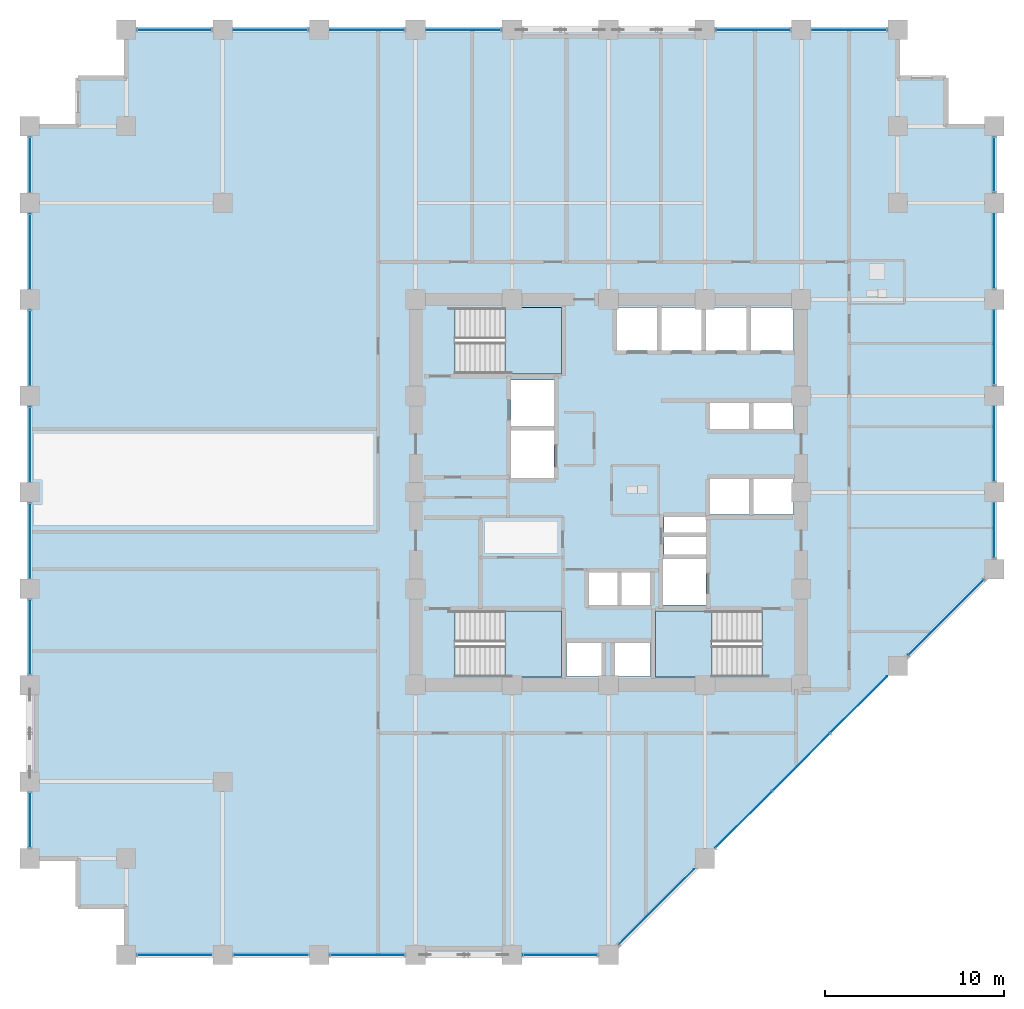
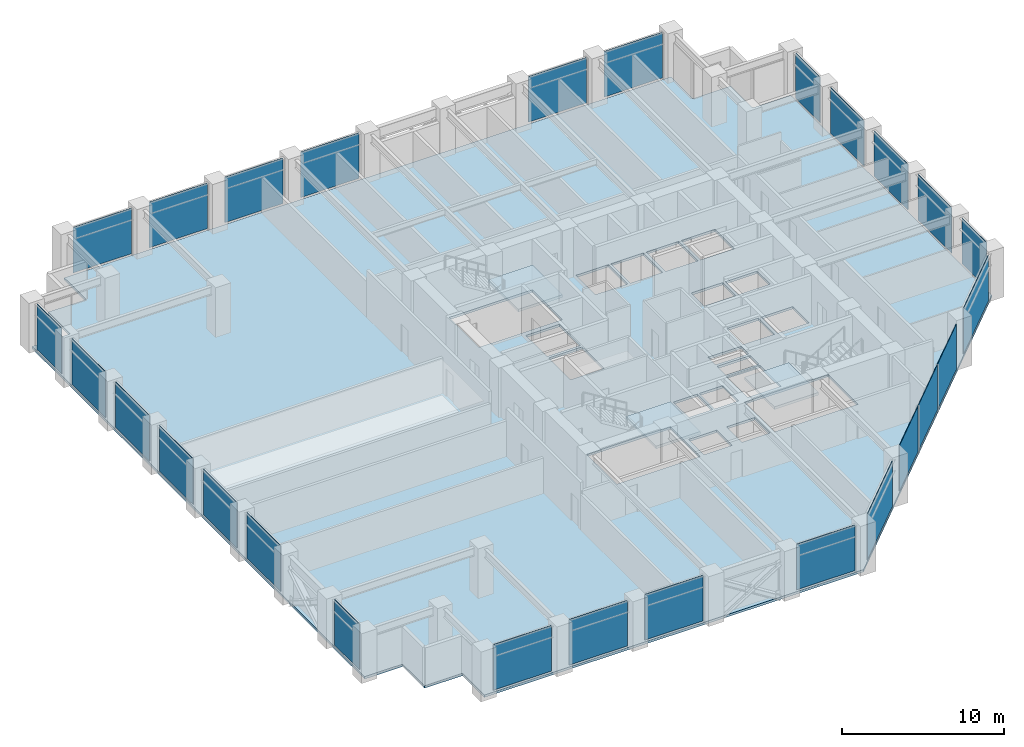
# One storey, part 17 of 25: 27 plates, 4 slabs, 11 elements without a shape of their own.
"""IFC4 building model written with IfcOpenShell, lengths in metres."""

from ifc_helpers import new_model, si_unit, direction, frame, frame_2d, origin, place, context, subcontext, project, spatial, polyline, rectangle, outline, extrude, material, layer, layer_set, type_object, element, aggregate, save


model = new_model("IFC4")

# Units and contexts
model_context = context("Model", 3, precision=1e-05, world=origin(), true_north=direction((0.0, 1.0)))
body_context = subcontext(model_context, "Body", "Model", "MODEL_VIEW")
ifc_project = project(units=[si_unit("LENGTHUNIT", "METRE"), si_unit("AREAUNIT", "SQUARE_METRE"), si_unit("VOLUMEUNIT", "CUBIC_METRE"), si_unit("PLANEANGLEUNIT", "RADIAN"), si_unit("MASSUNIT", "GRAM", prefix="KILO")], contexts=[model_context])

# Site, building, storey
site_placement = place(None, origin())
site = spatial("IfcSite", under=ifc_project, at=site_placement, CompositionType="ELEMENT")
building_placement = place(site_placement, origin())
building = spatial("IfcBuilding", under=site, at=building_placement, Name="Surkhivell Harbour Commons", CompositionType="ELEMENT")
storey_placement = place(building_placement, frame((0.0, 0.0, 117.0)))
storey = spatial("IfcBuildingStorey", under=building, at=storey_placement, Name="L30", CompositionType="ELEMENT", Elevation=117.0)

# Curtain wall, plates
ifc_material_1 = material(Name="Anodised pale-metal aluminium and insulated glazing", Category="aluminium")
ifc_layer_1 = layer(ifc_material_1, 0.205078125)
ifc_layer_set_1 = layer_set([ifc_layer_1], Name="Anodised pale-metal aluminium and insulated glazing")
curtain_wall_type = type_object("IfcCurtainWallType", Name="CW-SYS-Z2", PredefinedType="NOTDEFINED", material=ifc_layer_set_1)
curtain_wall_1_placement = place(storey_placement, origin())
curtain_wall_1 = element("IfcCurtainWall", 1, at=curtain_wall_1_placement, inside=storey, type_object=curtain_wall_type, Name="L30 Curtain Wall CW-L30-E00S1", PredefinedType="NOTDEFINED")
ifc_material_2 = material(Name="High-pressure typhoon laminated vision glass", Category="glass")
ifc_layer_2 = layer(ifc_material_2, 0.035888671875)
ifc_layer_set_2 = layer_set([ifc_layer_2], Name="High-pressure typhoon laminated vision glass")
plate_type = type_object("IfcPlateType", Name="CWP-GLZ-36", PredefinedType="CURTAIN_PANEL", material=ifc_layer_set_2)
plate_1_placement = place(storey_placement, frame((-26.373046875, -25.89990234375, 0.14990234375), z_axis=(0.0, 0.0, 1.0), x_axis=(1.0, 0.0, 0.0)))
plate_1 = element("IfcPlate", 2, at=plate_1_placement, type_object=plate_type, Name="CW-Z2 panel 1.1", PredefinedType="CURTAIN_PANEL", context=body_context, shape_type="SweptSolid", body=[
    extrude(rectangle(XDim=4.14599609375, YDim=0.035888671875, at=frame_2d((2.072998046875, 0.0))), origin(), (0.0, 0.0, 1.0), 3.420166015625),
])
plate_2_placement = place(storey_placement, frame((-20.972900390625, -25.89990234375, 0.14990234375), z_axis=(0.0, 0.0, 1.0), x_axis=(1.0, 0.0, 0.0)))
plate_2 = element("IfcPlate", 3, at=plate_2_placement, type_object=plate_type, Name="CW-Z2 panel 2.1", PredefinedType="CURTAIN_PANEL", context=body_context, shape_type="SweptSolid", body=[
    extrude(rectangle(XDim=4.14599609375, YDim=0.035888671875, at=frame_2d((2.072998046875, 0.0))), origin(), (0.0, 0.0, 1.0), 3.420166015625),
])
plate_3_placement = place(storey_placement, frame((-15.572998046875, -25.89990234375, 0.14990234375), z_axis=(0.0, 0.0, 1.0), x_axis=(1.0, 0.0, 0.0)))
plate_3 = element("IfcPlate", 4, at=plate_3_placement, type_object=plate_type, Name="CW-Z2 panel 3.1", PredefinedType="CURTAIN_PANEL", context=body_context, shape_type="SweptSolid", body=[
    extrude(rectangle(XDim=4.14599609375, YDim=0.035888671875, at=frame_2d((2.072998046875, 0.0))), origin(), (0.0, 0.0, 1.0), 3.420166015625),
])
aggregate(curtain_wall_1, [plate_1, plate_2, plate_3])

# Curtain wall, plate
curtain_wall_2_placement = place(storey_placement, origin())
curtain_wall_2 = element("IfcCurtainWall", 5, at=curtain_wall_2_placement, inside=storey, type_object=curtain_wall_type, Name="L30 Curtain Wall CW-L30-E00S2", PredefinedType="NOTDEFINED")
plate_4_placement = place(storey_placement, frame((-4.77294921875, -25.89990234375, 0.14990234375), z_axis=(0.0, 0.0, 1.0), x_axis=(1.0, 0.0, 0.0)))
plate_4 = element("IfcPlate", 6, at=plate_4_placement, type_object=plate_type, Name="CW-Z2 panel 1.1", PredefinedType="CURTAIN_PANEL", context=body_context, shape_type="SweptSolid", body=[
    extrude(rectangle(XDim=4.14599609375, YDim=0.035888671875, at=frame_2d((2.072998046875, 0.0))), origin(), (0.0, 0.0, 1.0), 3.420166015625),
])
aggregate(curtain_wall_2, [plate_4])

# Curtain wall, plates
curtain_wall_3_placement = place(storey_placement, origin())
curtain_wall_3 = element("IfcCurtainWall", 7, at=curtain_wall_3_placement, inside=storey, type_object=curtain_wall_type, Name="L30 Curtain Wall CW-L30-E01", PredefinedType="NOTDEFINED")
plate_5_placement = place(storey_placement, frame((0.604736328125, -25.295166015625, 0.14990234375), z_axis=(0.0, 0.0, 1.0), x_axis=(0.707106781187, 0.707106781187, 0.0)))
plate_5 = element("IfcPlate", 8, at=plate_5_placement, type_object=plate_type, Name="CW-Z2 panel 1.1", PredefinedType="CURTAIN_PANEL", context=body_context, shape_type="SweptSolid", body=[
    extrude(rectangle(XDim=5.92626953125, YDim=0.035888671875, at=frame_2d((2.963134765625, 0.0))), origin(), (0.0, 0.0, 1.0), 3.420166015625),
])
plate_6_placement = place(storey_placement, frame((6.004638671875, -19.895263671875, 0.14990234375), z_axis=(0.0, 0.0, 1.0), x_axis=(0.707134159244, 0.707079402069, 0.0)))
plate_6 = element("IfcPlate", 9, at=plate_6_placement, type_object=plate_type, Name="CW-Z2 panel 2.1", PredefinedType="CURTAIN_PANEL", context=body_context, shape_type="SweptSolid", body=[
    extrude(rectangle(XDim=4.45849609375, YDim=0.035888671875, at=frame_2d((2.229248046875, 0.0))), origin(), (0.0, 0.0, 1.0), 3.420166015625),
])
plate_7_placement = place(storey_placement, frame((9.21044921875, -16.689697265625, 0.14990234375), z_axis=(0.0, 0.0, 1.0), x_axis=(0.707106781187, 0.707106781187, 0.0)))
plate_7 = element("IfcPlate", 10, at=plate_7_placement, type_object=plate_type, Name="CW-Z2 panel 3.1", PredefinedType="CURTAIN_PANEL", context=body_context, shape_type="SweptSolid", body=[
    extrude(rectangle(XDim=4.49609375, YDim=0.035888671875, at=frame_2d((2.248046875, 0.0))), origin(), (0.0, 0.0, 1.0), 3.420166015625),
])
plate_8_placement = place(storey_placement, frame((12.442626953125, -13.457275390625, 0.14990234375), z_axis=(0.0, 0.0, 1.0), x_axis=(0.707106781187, 0.707106781187, 0.0)))
plate_8 = element("IfcPlate", 11, at=plate_8_placement, type_object=plate_type, Name="CW-Z2 panel 4.1", PredefinedType="CURTAIN_PANEL", context=body_context, shape_type="SweptSolid", body=[
    extrude(rectangle(XDim=4.45849609375, YDim=0.035888671875, at=frame_2d((2.229248046875, 0.0))), origin(), (0.0, 0.0, 1.0), 3.420166015625),
])
plate_9_placement = place(storey_placement, frame((16.8046875, -9.09521484375, 0.14990234375), z_axis=(0.0, 0.0, 1.0), x_axis=(0.707127378829, 0.707086182944, 0.0)))
plate_9 = element("IfcPlate", 12, at=plate_9_placement, type_object=plate_type, Name="CW-Z2 panel 5.1", PredefinedType="CURTAIN_PANEL", context=body_context, shape_type="SweptSolid", body=[
    extrude(rectangle(XDim=5.92626953125, YDim=0.035888671875, at=frame_2d((2.963134765625, 0.0))), origin(), (0.0, 0.0, 1.0), 3.420166015625),
])
aggregate(curtain_wall_3, [plate_5, plate_6, plate_7, plate_8, plate_9])

curtain_wall_4_placement = place(storey_placement, origin())
curtain_wall_4 = element("IfcCurtainWall", 13, at=curtain_wall_4_placement, inside=storey, type_object=curtain_wall_type, Name="L30 Curtain Wall CW-L30-E02", PredefinedType="NOTDEFINED")
plate_10_placement = place(storey_placement, frame((21.60009765625, -3.673095703125, 0.14990234375), z_axis=(0.0, 0.0, 1.0), x_axis=(0.0, 1.0, 0.0)))
plate_10 = element("IfcPlate", 14, at=plate_10_placement, type_object=plate_type, Name="CW-Z2 panel 1.1", PredefinedType="CURTAIN_PANEL", context=body_context, shape_type="SweptSolid", body=[
    extrude(rectangle(XDim=3.046142578125, YDim=0.035888671875, at=frame_2d((1.52294921875, 0.0))), origin(), (0.0, 0.0, 1.0), 3.420166015625),
])
plate_11_placement = place(storey_placement, frame((21.60009765625, 0.626953125, 0.14990234375), z_axis=(0.0, 0.0, 1.0), x_axis=(0.0, 1.0, 0.0)))
plate_11 = element("IfcPlate", 15, at=plate_11_placement, type_object=plate_type, Name="CW-Z2 panel 2.1", PredefinedType="CURTAIN_PANEL", context=body_context, shape_type="SweptSolid", body=[
    extrude(rectangle(XDim=4.14599609375, YDim=0.035888671875, at=frame_2d((2.072998046875, 0.0))), origin(), (0.0, 0.0, 1.0), 3.420166015625),
])
plate_12_placement = place(storey_placement, frame((21.60009765625, 6.027099609375, 0.14990234375), z_axis=(0.0, 0.0, 1.0), x_axis=(0.0, 1.0, 0.0)))
plate_12 = element("IfcPlate", 16, at=plate_12_placement, type_object=plate_type, Name="CW-Z2 panel 3.1", PredefinedType="CURTAIN_PANEL", context=body_context, shape_type="SweptSolid", body=[
    extrude(rectangle(XDim=4.14599609375, YDim=0.035888671875, at=frame_2d((2.072998046875, 0.0))), origin(), (0.0, 0.0, 1.0), 3.420166015625),
])
plate_13_placement = place(storey_placement, frame((21.60009765625, 11.427001953125, 0.14990234375), z_axis=(0.0, 0.0, 1.0), x_axis=(0.0, 1.0, 0.0)))
plate_13 = element("IfcPlate", 17, at=plate_13_placement, type_object=plate_type, Name="CW-Z2 panel 4.1", PredefinedType="CURTAIN_PANEL", context=body_context, shape_type="SweptSolid", body=[
    extrude(rectangle(XDim=4.14599609375, YDim=0.035888671875, at=frame_2d((2.072998046875, 0.0))), origin(), (0.0, 0.0, 1.0), 3.420166015625),
])
plate_14_placement = place(storey_placement, frame((21.60009765625, 16.826904296875, 0.14990234375), z_axis=(0.0, 0.0, 1.0), x_axis=(0.0, 1.0, 0.0)))
plate_14 = element("IfcPlate", 18, at=plate_14_placement, type_object=plate_type, Name="CW-Z2 panel 5.1", PredefinedType="CURTAIN_PANEL", context=body_context, shape_type="SweptSolid", body=[
    extrude(rectangle(XDim=3.046142578125, YDim=0.035888671875, at=frame_2d((1.52294921875, 0.0))), origin(), (0.0, 0.0, 1.0), 3.420166015625),
])
aggregate(curtain_wall_4, [plate_10, plate_11, plate_12, plate_13, plate_14])

curtain_wall_5_placement = place(storey_placement, origin())
curtain_wall_5 = element("IfcCurtainWall", 19, at=curtain_wall_5_placement, inside=storey, type_object=curtain_wall_type, Name="L30 Curtain Wall CW-L30-E07S1", PredefinedType="NOTDEFINED")
plate_15_placement = place(storey_placement, frame((15.572998046875, 25.89990234375, 0.14990234375), z_axis=(0.0, 0.0, 1.0), x_axis=(-1.0, 0.0, 0.0)))
plate_15 = element("IfcPlate", 20, at=plate_15_placement, type_object=plate_type, Name="CW-Z2 panel 1.1", PredefinedType="CURTAIN_PANEL", context=body_context, shape_type="SweptSolid", body=[
    extrude(rectangle(XDim=4.14599609375, YDim=0.035888671875, at=frame_2d((2.072998046875, 0.0))), origin(), (0.0, 0.0, 1.0), 3.420166015625),
])
plate_16_placement = place(storey_placement, frame((10.173095703125, 25.89990234375, 0.14990234375), z_axis=(0.0, 0.0, 1.0), x_axis=(-1.0, 0.0, 0.0)))
plate_16 = element("IfcPlate", 21, at=plate_16_placement, type_object=plate_type, Name="CW-Z2 panel 2.1", PredefinedType="CURTAIN_PANEL", context=body_context, shape_type="SweptSolid", body=[
    extrude(rectangle(XDim=4.14599609375, YDim=0.035888671875, at=frame_2d((2.072998046875, 0.0))), origin(), (0.0, 0.0, 1.0), 3.420166015625),
])
aggregate(curtain_wall_5, [plate_15, plate_16])

curtain_wall_6_placement = place(storey_placement, origin())
curtain_wall_6 = element("IfcCurtainWall", 22, at=curtain_wall_6_placement, inside=storey, type_object=curtain_wall_type, Name="L30 Curtain Wall CW-L30-E07S2", PredefinedType="NOTDEFINED")
plate_17_placement = place(storey_placement, frame((-6.027099609375, 25.89990234375, 0.14990234375), z_axis=(0.0, 0.0, 1.0), x_axis=(-1.0, 0.0, 0.0)))
plate_17 = element("IfcPlate", 23, at=plate_17_placement, type_object=plate_type, Name="CW-Z2 panel 1.1", PredefinedType="CURTAIN_PANEL", context=body_context, shape_type="SweptSolid", body=[
    extrude(rectangle(XDim=4.14599609375, YDim=0.035888671875, at=frame_2d((2.072998046875, 0.0))), origin(), (0.0, 0.0, 1.0), 3.420166015625),
])
plate_18_placement = place(storey_placement, frame((-11.427001953125, 25.89990234375, 0.14990234375), z_axis=(0.0, 0.0, 1.0), x_axis=(-1.0, 0.0, 0.0)))
plate_18 = element("IfcPlate", 24, at=plate_18_placement, type_object=plate_type, Name="CW-Z2 panel 2.1", PredefinedType="CURTAIN_PANEL", context=body_context, shape_type="SweptSolid", body=[
    extrude(rectangle(XDim=4.14599609375, YDim=0.035888671875, at=frame_2d((2.072998046875, 0.0))), origin(), (0.0, 0.0, 1.0), 3.420166015625),
])
plate_19_placement = place(storey_placement, frame((-16.826904296875, 25.89990234375, 0.14990234375), z_axis=(0.0, 0.0, 1.0), x_axis=(-1.0, 0.0, 0.0)))
plate_19 = element("IfcPlate", 25, at=plate_19_placement, type_object=plate_type, Name="CW-Z2 panel 3.1", PredefinedType="CURTAIN_PANEL", context=body_context, shape_type="SweptSolid", body=[
    extrude(rectangle(XDim=4.14599609375, YDim=0.035888671875, at=frame_2d((2.072998046875, 0.0))), origin(), (0.0, 0.0, 1.0), 3.420166015625),
])
plate_20_placement = place(storey_placement, frame((-22.22705078125, 25.89990234375, 0.14990234375), z_axis=(0.0, 0.0, 1.0), x_axis=(-1.0, 0.0, 0.0)))
plate_20 = element("IfcPlate", 26, at=plate_20_placement, type_object=plate_type, Name="CW-Z2 panel 4.1", PredefinedType="CURTAIN_PANEL", context=body_context, shape_type="SweptSolid", body=[
    extrude(rectangle(XDim=4.14599609375, YDim=0.035888671875, at=frame_2d((2.072998046875, 0.0))), origin(), (0.0, 0.0, 1.0), 3.420166015625),
])
aggregate(curtain_wall_6, [plate_17, plate_18, plate_19, plate_20])

curtain_wall_7_placement = place(storey_placement, origin())
curtain_wall_7 = element("IfcCurtainWall", 27, at=curtain_wall_7_placement, inside=storey, type_object=curtain_wall_type, Name="L30 Curtain Wall CW-L30-E12S1", PredefinedType="NOTDEFINED")
plate_21_placement = place(storey_placement, frame((-32.39990234375, 19.873046875, 0.14990234375), z_axis=(0.0, 0.0, 1.0), x_axis=(0.0, -1.0, 0.0)))
plate_21 = element("IfcPlate", 28, at=plate_21_placement, type_object=plate_type, Name="CW-Z2 panel 1.1", PredefinedType="CURTAIN_PANEL", context=body_context, shape_type="SweptSolid", body=[
    extrude(rectangle(XDim=3.046142578125, YDim=0.035888671875, at=frame_2d((1.52294921875, 0.0))), origin(), (0.0, 0.0, 1.0), 3.420166015625),
])
plate_22_placement = place(storey_placement, frame((-32.39990234375, 15.572998046875, 0.14990234375), z_axis=(0.0, 0.0, 1.0), x_axis=(0.0, -1.0, 0.0)))
plate_22 = element("IfcPlate", 29, at=plate_22_placement, type_object=plate_type, Name="CW-Z2 panel 2.1", PredefinedType="CURTAIN_PANEL", context=body_context, shape_type="SweptSolid", body=[
    extrude(rectangle(XDim=4.14599609375, YDim=0.035888671875, at=frame_2d((2.072998046875, 0.0))), origin(), (0.0, 0.0, 1.0), 3.420166015625),
])
plate_23_placement = place(storey_placement, frame((-32.39990234375, 10.173095703125, 0.14990234375), z_axis=(0.0, 0.0, 1.0), x_axis=(0.0, -1.0, 0.0)))
plate_23 = element("IfcPlate", 30, at=plate_23_placement, type_object=plate_type, Name="CW-Z2 panel 3.1", PredefinedType="CURTAIN_PANEL", context=body_context, shape_type="SweptSolid", body=[
    extrude(rectangle(XDim=4.14599609375, YDim=0.035888671875, at=frame_2d((2.072998046875, 0.0))), origin(), (0.0, 0.0, 1.0), 3.420166015625),
])
plate_24_placement = place(storey_placement, frame((-32.39990234375, 4.77294921875, 0.14990234375), z_axis=(0.0, 0.0, 1.0), x_axis=(0.0, -1.0, 0.0)))
plate_24 = element("IfcPlate", 31, at=plate_24_placement, type_object=plate_type, Name="CW-Z2 panel 4.1", PredefinedType="CURTAIN_PANEL", context=body_context, shape_type="SweptSolid", body=[
    extrude(rectangle(XDim=4.14599609375, YDim=0.035888671875, at=frame_2d((2.072998046875, 0.0))), origin(), (0.0, 0.0, 1.0), 3.420166015625),
])
plate_25_placement = place(storey_placement, frame((-32.39990234375, -0.626953125, 0.14990234375), z_axis=(0.0, 0.0, 1.0), x_axis=(0.0, -1.0, 0.0)))
plate_25 = element("IfcPlate", 32, at=plate_25_placement, type_object=plate_type, Name="CW-Z2 panel 5.1", PredefinedType="CURTAIN_PANEL", context=body_context, shape_type="SweptSolid", body=[
    extrude(rectangle(XDim=4.14599609375, YDim=0.035888671875, at=frame_2d((2.072998046875, 0.0))), origin(), (0.0, 0.0, 1.0), 3.420166015625),
])
plate_26_placement = place(storey_placement, frame((-32.39990234375, -6.027099609375, 0.14990234375), z_axis=(0.0, 0.0, 1.0), x_axis=(0.0, -1.0, 0.0)))
plate_26 = element("IfcPlate", 33, at=plate_26_placement, type_object=plate_type, Name="CW-Z2 panel 6.1", PredefinedType="CURTAIN_PANEL", context=body_context, shape_type="SweptSolid", body=[
    extrude(rectangle(XDim=4.14599609375, YDim=0.035888671875, at=frame_2d((2.072998046875, 0.0))), origin(), (0.0, 0.0, 1.0), 3.420166015625),
])
aggregate(curtain_wall_7, [plate_21, plate_22, plate_23, plate_24, plate_25, plate_26])

# Curtain wall, plate
curtain_wall_8_placement = place(storey_placement, origin())
curtain_wall_8 = element("IfcCurtainWall", 34, at=curtain_wall_8_placement, inside=storey, type_object=curtain_wall_type, Name="L30 Curtain Wall CW-L30-E12S2", PredefinedType="NOTDEFINED")
plate_27_placement = place(storey_placement, frame((-32.39990234375, -16.826904296875, 0.14990234375), z_axis=(0.0, 0.0, 1.0), x_axis=(0.0, -1.0, 0.0)))
plate_27 = element("IfcPlate", 35, at=plate_27_placement, type_object=plate_type, Name="CW-Z2 panel 1.1", PredefinedType="CURTAIN_PANEL", context=body_context, shape_type="SweptSolid", body=[
    extrude(rectangle(XDim=3.046142578125, YDim=0.035888671875, at=frame_2d((1.52294921875, 0.0))), origin(), (0.0, 0.0, 1.0), 3.420166015625),
])
aggregate(curtain_wall_8, [plate_27])

# Stair, slab
ifc_material_3 = material(Name="Precast concrete C45/55", Category="concrete")
stair_type = type_object("IfcStairType", Name="STR-DL-375", PredefinedType="HALF_TURN_STAIR", material=ifc_material_3)
stair_1_placement = place(storey_placement, origin())
stair_1 = element("IfcStair", 36, at=stair_1_placement, inside=storey, type_object=stair_type, Name="L30 Core Exit Stair ST1", PredefinedType="HALF_TURN_STAIR")
ifc_material_4 = material(Name="Reinforced concrete C45/55", Category="concrete")
ifc_layer_3 = layer(ifc_material_4, 0.199951171875)
ifc_layer_set_3 = layer_set([ifc_layer_3], Name="Reinforced concrete C45/55")
slab_type_1 = type_object("IfcSlabType", Name="SLB-ST-LND200", PredefinedType="LANDING", material=ifc_layer_set_3)
slab_1_placement = place(storey_placement, frame((0.0, 0.0, 1.675048828125)))
slab_1 = element("IfcSlab", 37, at=slab_1_placement, type_object=slab_type_1, Name="ST1 landing 1", PredefinedType="LANDING", context=body_context, shape_type="SweptSolid", body=[
    extrude(outline(polyline([(-5.7900390625, 6.639892578125), (-2.639892578125, 6.639892578125), (-2.639892578125, 10.340087890625), (-5.7900390625, 10.340087890625), (-5.7900390625, 6.639892578125)])), origin(), (0.0, 0.0, 1.0), 0.199951171875),
])
aggregate(stair_1, [slab_1])

stair_2_placement = place(storey_placement, origin())
stair_2 = element("IfcStair", 38, at=stair_2_placement, inside=storey, type_object=stair_type, Name="L30 Core Exit Stair ST2", PredefinedType="HALF_TURN_STAIR")
slab_2_placement = place(storey_placement, frame((0.0, 0.0, 1.675048828125)))
slab_2 = element("IfcSlab", 39, at=slab_2_placement, type_object=slab_type_1, Name="ST2 landing 1", PredefinedType="LANDING", context=body_context, shape_type="SweptSolid", body=[
    extrude(outline(polyline([(5.7900390625, -6.639892578125), (2.639892578125, -6.639892578125), (2.639892578125, -10.340087890625), (5.7900390625, -10.340087890625), (5.7900390625, -6.639892578125)])), origin(), (0.0, 0.0, 1.0), 0.199951171875),
])
aggregate(stair_2, [slab_2])

stair_3_placement = place(storey_placement, origin())
stair_3 = element("IfcStair", 40, at=stair_3_placement, inside=storey, type_object=stair_type, Name="L30 Core Exit Stair ST3", PredefinedType="HALF_TURN_STAIR")
slab_3_placement = place(storey_placement, frame((0.0, 0.0, 1.675048828125)))
slab_3 = element("IfcSlab", 41, at=slab_3_placement, type_object=slab_type_1, Name="ST3 landing 1", PredefinedType="LANDING", context=body_context, shape_type="SweptSolid", body=[
    extrude(outline(polyline([(-5.7900390625, -10.340087890625), (-2.639892578125, -10.340087890625), (-2.639892578125, -6.639892578125), (-5.7900390625, -6.639892578125), (-5.7900390625, -10.340087890625)])), origin(), (0.0, 0.0, 1.0), 0.199951171875),
])
aggregate(stair_3, [slab_3])

# Slab
ifc_material_5 = material(Name="Concrete C45/55", Category="concrete")
ifc_layer_4 = layer(ifc_material_5, 0.179931640625)
ifc_layer_set_4 = layer_set([ifc_layer_4], Name="Concrete C45/55")
slab_type_2 = type_object("IfcSlabType", Name="SLB-TYP-180", PredefinedType="FLOOR", material=ifc_layer_set_4)
slab_4_placement = place(storey_placement, frame((0.0, 0.0, -0.179931640625)))
element("IfcSlab", 42, at=slab_4_placement, inside=storey, type_object=slab_type_2, Name="L30 Structural Floor Slab", PredefinedType="FLOOR", context=body_context, shape_type="SweptSolid", body=[
    extrude(outline(polyline([(-27.0, -25.89990234375), (0.0, -25.89990234375), (21.60009765625, -4.300048828125), (21.60009765625, 20.5), (18.89990234375, 20.5), (18.89990234375, 23.199951171875), (16.199951171875, 23.199951171875), (16.199951171875, 25.89990234375), (-27.0, 25.89990234375), (-27.0, 23.199951171875), (-29.699951171875, 23.199951171875), (-29.699951171875, 20.5), (-32.39990234375, 20.5), (-32.39990234375, -20.5), (-29.699951171875, -20.5), (-29.699951171875, -23.199951171875), (-27.0, -23.199951171875), (-27.0, -25.89990234375)]), holes=[polyline([(-8.590087890625, 6.639892578125), (-2.639892578125, 6.639892578125), (-2.639892578125, 10.340087890625), (-8.590087890625, 10.340087890625), (-8.590087890625, 6.639892578125)]), polyline([(8.590087890625, -6.639892578125), (2.639892578125, -6.639892578125), (2.639892578125, -10.340087890625), (8.590087890625, -10.340087890625), (8.590087890625, -6.639892578125)]), polyline([(-8.590087890625, -10.340087890625), (-2.639892578125, -10.340087890625), (-2.639892578125, -6.639892578125), (-8.590087890625, -6.639892578125), (-8.590087890625, -10.340087890625)]), polyline([(0.449951171875, 7.949951171875), (2.75, 7.949951171875), (2.75, 10.35009765625), (0.449951171875, 10.35009765625), (0.449951171875, 7.949951171875)]), polyline([(2.949951171875, 7.949951171875), (5.25, 7.949951171875), (5.25, 10.35009765625), (2.949951171875, 10.35009765625), (2.949951171875, 7.949951171875)]), polyline([(5.449951171875, 7.949951171875), (7.75, 7.949951171875), (7.75, 10.35009765625), (5.449951171875, 10.35009765625), (5.449951171875, 7.949951171875)]), polyline([(7.949951171875, 7.949951171875), (10.35009765625, 7.949951171875), (10.35009765625, 10.35009765625), (7.949951171875, 10.35009765625), (7.949951171875, 7.949951171875)]), polyline([(5.64990234375, 3.550048828125), (7.89990234375, 3.550048828125), (7.89990234375, 5.14990234375), (5.64990234375, 5.14990234375), (5.64990234375, 3.550048828125)]), polyline([(8.10009765625, 3.550048828125), (10.35009765625, 3.550048828125), (10.35009765625, 5.14990234375), (8.10009765625, 5.14990234375), (8.10009765625, 3.550048828125)]), polyline([(5.64990234375, -1.25), (7.89990234375, -1.25), (7.89990234375, 0.75), (5.64990234375, 0.75), (5.64990234375, -1.25)]), polyline([(8.10009765625, -1.25), (10.35009765625, -1.25), (10.35009765625, 0.75), (8.10009765625, 0.75), (8.10009765625, -1.25)]), polyline([(-1.14990234375, -6.35009765625), (0.550048828125, -6.35009765625), (0.550048828125, -4.449951171875), (-1.14990234375, -4.449951171875), (-1.14990234375, -6.35009765625)]), polyline([(0.679931640625, -6.35009765625), (2.3798828125, -6.35009765625), (2.3798828125, -4.449951171875), (0.679931640625, -4.449951171875), (0.679931640625, -6.35009765625)]), polyline([(-2.35009765625, -10.300048828125), (-0.35009765625, -10.300048828125), (-0.35009765625, -8.39990234375), (-2.35009765625, -8.39990234375), (-2.35009765625, -10.300048828125)]), polyline([(0.35009765625, -10.300048828125), (2.35009765625, -10.300048828125), (2.35009765625, -8.39990234375), (0.35009765625, -8.39990234375), (0.35009765625, -10.300048828125)]), polyline([(-5.449951171875, 3.699951171875), (-3.050048828125, 3.699951171875), (-3.050048828125, 6.300048828125), (-5.449951171875, 6.300048828125), (-5.449951171875, 3.699951171875)]), polyline([(3.050048828125, -6.300048828125), (5.449951171875, -6.300048828125), (5.449951171875, -3.699951171875), (3.050048828125, -3.699951171875), (3.050048828125, -6.300048828125)]), polyline([(-5.449951171875, 0.800048828125), (-3.050048828125, 0.800048828125), (-3.050048828125, 3.5), (-5.449951171875, 3.5), (-5.449951171875, 0.800048828125)]), polyline([(3.10009765625, -3.550048828125), (5.449951171875, -3.550048828125), (5.449951171875, -2.47998046875), (3.10009765625, -2.47998046875), (3.10009765625, -3.550048828125)]), polyline([(3.10009765625, -2.280029296875), (5.449951171875, -2.280029296875), (5.449951171875, -1.35009765625), (3.10009765625, -1.35009765625), (3.10009765625, -2.280029296875)])]), origin(), (0.0, 0.0, 1.0), 0.179931640625),
])

save(model, "model.ifc")
